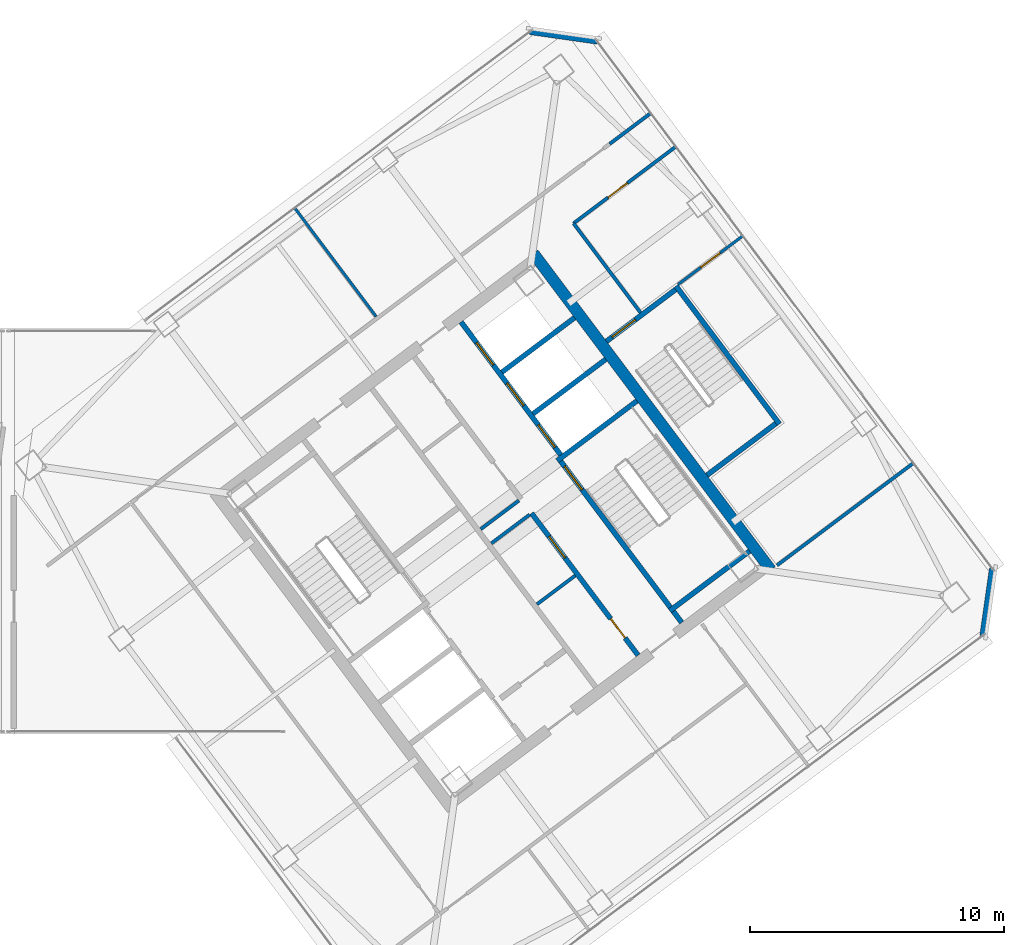
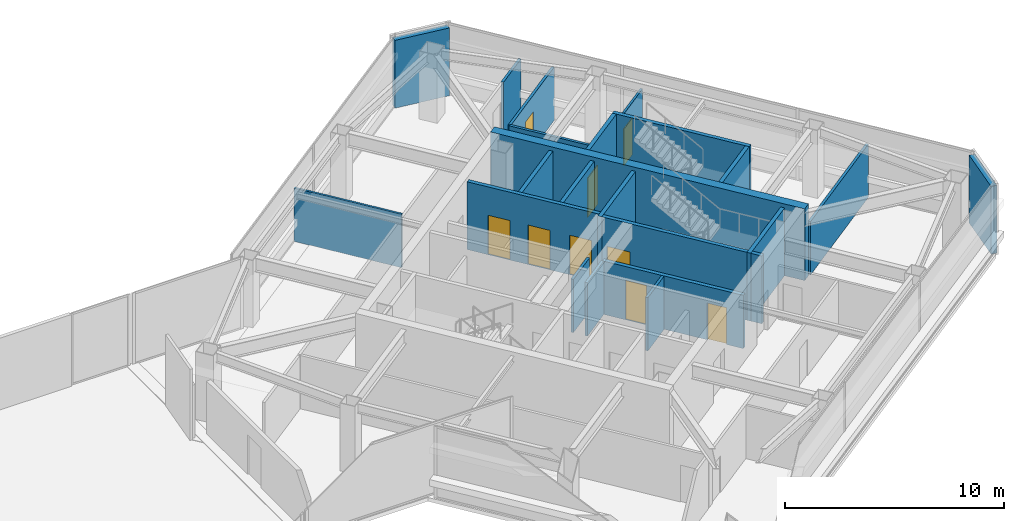
# One storey, part 42 of 51: 22 walls, 9 doors, 9 openings.
"""IFC4 building model written with IfcOpenShell, lengths in metres."""

from ifc_helpers import new_model, si_unit, direction, frame, frame_2d, origin, place, context, subcontext, project, spatial, rectangle, extrude, material, layer, layer_set, type_object, element, fill, save


model = new_model("IFC4")

# Units and contexts
model_context = context("Model", 3, precision=1e-05, world=origin(), true_north=direction((0.0, 1.0)))
body_context = subcontext(model_context, "Body", "Model", "MODEL_VIEW")
ifc_project = project(units=[si_unit("LENGTHUNIT", "METRE"), si_unit("AREAUNIT", "SQUARE_METRE"), si_unit("VOLUMEUNIT", "CUBIC_METRE"), si_unit("PLANEANGLEUNIT", "RADIAN"), si_unit("MASSUNIT", "GRAM", prefix="KILO")], contexts=[model_context])

# Site, building, storey
site_placement = place(None, origin())
site = spatial("IfcSite", under=ifc_project, at=site_placement, CompositionType="ELEMENT")
building_placement = place(site_placement, origin())
building = spatial("IfcBuilding", under=site, at=building_placement, Name="Tashvorn Skyway Center", CompositionType="ELEMENT")
storey_placement = place(building_placement, frame((0.0, 0.0, 251.39990234375)))
storey = spatial("IfcBuildingStorey", under=building, at=storey_placement, Name="L68", CompositionType="ELEMENT", Elevation=251.39990234375)

# Walls
ifc_material_1 = material(Name="Concrete C50/60", Category="concrete")
ifc_layer_1 = layer(ifc_material_1, 0.449951171875)
ifc_layer_set_1 = layer_set([ifc_layer_1], Name="Concrete C50/60")
wall_type_1 = type_object("IfcWallType", Name="WALL-CORE-450", PredefinedType="SHEAR", material=ifc_layer_set_1)
wall_1_placement = place(storey_placement, frame((115.60400390625, 42.952880859375, 0.0), z_axis=(0.0, 0.0, 1.0), x_axis=(0.600005007985, -0.799996243986, 0.0)))
element("IfcWall", 1, at=wall_1_placement, inside=storey, type_object=wall_type_1, Name="Tower 2 L68 East Core Shear Wall", PredefinedType="SHEAR", context=body_context, shape_type="SweptSolid", body=[
    extrude(rectangle(XDim=15.60009765625, YDim=0.449951171875, at=frame_2d((7.800048828125, 0.0))), origin(), (0.0, 0.0, 1.0), 4.0),
])
ifc_material_2 = material(Name="Precast concrete C40/50", Category="concrete")
ifc_layer_2 = layer(ifc_material_2, 0.280029296875)
ifc_layer_set_2 = layer_set([ifc_layer_2], Name="Precast concrete C40/50")
wall_type_2 = type_object("IfcWallType", Name="WALL-EXT-280", PredefinedType="SOLIDWALL", material=ifc_layer_set_2)
for number, where, z_axis, x_axis, name in (
    (2, (115.4599609375, 51.719970703125, 0.0), (0.0, 0.0, 1.0), (0.989956760759, -0.141370477216, 0.0), "Tower 2 L68 NE Precast Chamfer Wall"),
    (3, (133.719970703125, 30.5400390625, 0.0), (0.0, 0.0, 1.0), (-0.141370477216, -0.989956760759, 0.0), "Tower 2 L68 SE Precast Chamfer Wall"),
):
    element("IfcWall", number, at=place(storey_placement, frame(where, z_axis=z_axis, x_axis=x_axis)), inside=storey, type_object=wall_type_2, Name=name, PredefinedType="SOLIDWALL", context=body_context, shape_type="SweptSolid", body=[
        extrude(rectangle(XDim=2.687255859375, YDim=0.280029296875, at=frame_2d((1.34375, 0.0))), origin(), (0.0, 0.0, 1.0), 3.780029296875),
    ])
ifc_material_3 = material(Name="Gypsum board on cold-formed steel stud framing", Category="steel")
ifc_layer_3 = layer(ifc_material_3, 0.110107421875)
ifc_layer_set_3 = layer_set([ifc_layer_3], Name="Gypsum board on cold-formed steel stud framing")
wall_type_3 = type_object("IfcWallType", Name="WALL-PART-110", PredefinedType="PARTITIONING", material=ifc_layer_set_3)
wall_2_placement = place(storey_placement, frame((109.402099609375, 40.464111328125, 0.0), z_axis=(0.0, 0.0, 1.0), x_axis=(-0.600043807911, 0.799967142192, 0.0)))
element("IfcWall", 4, at=wall_2_placement, inside=storey, type_object=wall_type_3, Name="Tower 2 L68 North Suite Partition 1", PredefinedType="PARTITIONING", context=body_context, shape_type="SweptSolid", body=[
    extrude(rectangle(XDim=5.349853515625, YDim=0.110107421875, at=frame_2d((2.6748046875, 0.0))), origin(), (0.0, 0.0, 1.0), 2.97119140625),
])

# Wall, opening, door
wall_3_placement = place(storey_placement, frame((123.864013671875, 43.64794921875, 0.0), z_axis=(0.0, 0.0, 1.0), x_axis=(-0.800018310174, -0.599975585658, 0.0)))
wall_3 = element("IfcWall", 5, at=wall_3_placement, inside=storey, type_object=wall_type_3, Name="Tower 2 L68 East Suite Partition 1", PredefinedType="PARTITIONING", context=body_context, shape_type="SweptSolid", body=[
    extrude(rectangle(XDim=3.199951171875, YDim=0.110107421875, at=frame_2d((1.60009765625, 0.0))), origin(), (0.0, 0.0, 1.0), 2.97119140625),
])
opening_1_placement = place(wall_3_placement, frame((1.125, 0.0, 0.0)))
opening_1 = element("IfcOpeningElement", 6, at=opening_1_placement, cuts=wall_3, Name="Opening D-INT-950", PredefinedType="OPENING", context=body_context, shape_type="SweptSolid", body=[
    extrude(rectangle(XDim=0.949951171875, YDim=2.050048828125, at=frame_2d((0.47509765625, 1.02490234375))), frame((0.0, 0.06494140625, 0.0), z_axis=(0.0, -1.0, 0.0), x_axis=(1.0, 0.0, 0.0)), (0.0, 0.0, 1.0), 0.130126953125),
])
ifc_material_4 = material(Name="Solid-core architectural oak veneer door")
door_type_1 = type_object("IfcDoorType", Name="DOOR-INT-950", OperationType="NOTDEFINED", PredefinedType="DOOR", material=ifc_material_4)
door_1_placement = place(opening_1_placement, origin())
door_1 = element("IfcDoor", 7, at=door_1_placement, inside=storey, type_object=door_type_1, Name="Tower 2 L68 Security Control Room Door", OperationType="SINGLE_SWING_RIGHT", OverallHeight=2.050048828125, OverallWidth=0.949951171875, PredefinedType="DOOR", context=body_context, shape_type="SweptSolid", body=[
    extrude(rectangle(XDim=0.949951171875, YDim=2.050048828125, at=frame_2d((0.47509765625, 1.02490234375))), frame((0.0, 0.02490234375, 0.0), z_axis=(0.0, -1.0, 0.0), x_axis=(1.0, 0.0, 0.0)), (0.0, 0.0, 1.0), 0.050048828125),
])
fill(opening_1, door_1)

# Walls
ifc_layer_4 = layer(ifc_material_3, 0.135009765625)
ifc_layer_set_4 = layer_set([ifc_layer_4], Name="Gypsum board on cold-formed steel stud framing")
wall_type_4 = type_object("IfcWallType", Name="WALL-PART-135", PredefinedType="PARTITIONING", material=ifc_layer_set_4)
wall_4_placement = place(storey_placement, frame((119.823974609375, 40.617919921875, 0.0), z_axis=(0.0, 0.0, 1.0), x_axis=(-0.599982243973, 0.800013316712, 0.0)))
element("IfcWall", 8, at=wall_4_placement, inside=storey, type_object=wall_type_4, Name="Tower 2 L68 Stair 3 Access Corridor Wall", PredefinedType="PARTITIONING", context=body_context, shape_type="SweptSolid", body=[
    extrude(rectangle(XDim=4.39990234375, YDim=0.135009765625, at=frame_2d((2.199951171875, 0.0))), origin(), (0.0, 0.0, 1.0), 2.97119140625),
])
wall_5_placement = place(storey_placement, frame((118.610107421875, 47.27001953125, 0.0), z_axis=(0.0, 0.0, 1.0), x_axis=(0.799956698502, 0.600057730991, 0.0)))
element("IfcWall", 9, at=wall_5_placement, inside=storey, type_object=wall_type_4, Name="Tower 2 L68 North-East Suite South Wall", PredefinedType="PARTITIONING", context=body_context, shape_type="SweptSolid", body=[
    extrude(rectangle(XDim=2.02978515625, YDim=0.135009765625, at=frame_2d((1.014892578125, 0.0))), origin(), (0.0, 0.0, 1.0), 2.97119140625),
])

# Wall, opening, door
wall_6_placement = place(storey_placement, frame((121.22412109375, 47.16796875, 0.0), z_axis=(0.0, 0.0, 1.0), x_axis=(-0.8, -0.6, 0.0)))
wall_6 = element("IfcWall", 10, at=wall_6_placement, inside=storey, type_object=wall_type_4, Name="Tower 2 L68 East Suite North Wall", PredefinedType="PARTITIONING", context=body_context, shape_type="SweptSolid", body=[
    extrude(rectangle(XDim=5.050048828125, YDim=0.135009765625, at=frame_2d((2.52490234375, 0.0))), origin(), (0.0, 0.0, 1.0), 2.97119140625),
])
opening_2_placement = place(wall_6_placement, frame((2.39990234375, 0.0, 0.0)))
opening_2 = element("IfcOpeningElement", 11, at=opening_2_placement, cuts=wall_6, Name="Opening D-INT-950", PredefinedType="OPENING", context=body_context, shape_type="SweptSolid", body=[
    extrude(rectangle(XDim=0.949951171875, YDim=2.050048828125, at=frame_2d((0.47509765625, 1.02490234375))), frame((0.0, 0.077392578125, 0.0), z_axis=(0.0, -1.0, 0.0), x_axis=(1.0, 0.0, 0.0)), (0.0, 0.0, 1.0), 0.155029296875),
])
door_2_placement = place(opening_2_placement, origin())
door_2 = element("IfcDoor", 12, at=door_2_placement, inside=storey, type_object=door_type_1, Name="Tower 2 L68 Executive Suite Door", OperationType="SINGLE_SWING_LEFT", OverallHeight=2.050048828125, OverallWidth=0.949951171875, PredefinedType="DOOR", context=body_context, shape_type="SweptSolid", body=[
    extrude(rectangle(XDim=0.949951171875, YDim=2.050048828125, at=frame_2d((0.47509765625, 1.02490234375))), frame((0.0, 0.02490234375, 0.0), z_axis=(0.0, -1.0, 0.0), x_axis=(1.0, 0.0, 0.0)), (0.0, 0.0, 1.0), 0.050048828125),
])
fill(opening_2, door_2)

# Walls
wall_7_placement = place(storey_placement, frame((125.2080078125, 30.656005859375, 0.0), z_axis=(0.0, 0.0, 1.0), x_axis=(0.8, 0.6, 0.0)))
element("IfcWall", 13, at=wall_7_placement, inside=storey, type_object=wall_type_4, Name="Tower 2 L68 East Suite South Wall", PredefinedType="PARTITIONING", context=body_context, shape_type="SweptSolid", body=[
    extrude(rectangle(XDim=6.719970703125, YDim=0.135009765625, at=frame_2d((3.35986328125, 0.0))), origin(), (0.0, 0.0, 1.0), 2.97119140625),
])
ifc_layer_5 = layer(ifc_material_3, 0.135009765625)
ifc_layer_set_5 = layer_set([ifc_layer_5], Name="Gypsum board on cold-formed steel stud framing")
wall_type_5 = type_object("IfcWallType", Name="WALL-RATED-135", PredefinedType="PARTITIONING", material=ifc_layer_set_5)
for number, where, z_axis, x_axis, name in (
    (14, (113.946044921875, 31.52197265625, 0.0), (0.0, 0.0, 1.0), (0.8, 0.6, 0.0), "Tower 2 L68 Core Room Partition"),
    (15, (115.74609375, 29.1220703125, 0.0), (0.0, 0.0, 1.0), (0.8, 0.6, 0.0), "Tower 2 L68 Freed Core Partition"),
):
    element("IfcWall", number, at=place(storey_placement, frame(where, z_axis=z_axis, x_axis=x_axis)), inside=storey, type_object=wall_type_5, Name=name, PredefinedType="PARTITIONING", context=body_context, shape_type="SweptSolid", body=[
        extrude(rectangle(XDim=1.8798828125, YDim=0.135009765625, at=frame_2d((0.93994140625, 0.0))), origin(), (0.0, 0.0, 1.0), 2.97119140625),
    ])
wall_8_placement = place(storey_placement, frame((113.52587890625, 32.08203125, 0.0), z_axis=(0.0, 0.0, 1.0), x_axis=(0.800046745961, 0.599937666993, 0.0)))
element("IfcWall", 16, at=wall_8_placement, inside=storey, type_object=wall_type_5, Name="Tower 2 L68 Core Room Partition", PredefinedType="PARTITIONING", context=body_context, shape_type="SweptSolid", body=[
    extrude(rectangle(XDim=1.880126953125, YDim=0.135009765625, at=frame_2d((0.93994140625, 0.0))), origin(), (0.0, 0.0, 1.0), 2.97119140625),
])
ifc_material_5 = material(Name="Concrete C40/50", Category="concrete")
ifc_layer_6 = layer(ifc_material_5, 0.199951171875)
ifc_layer_set_6 = layer_set([ifc_layer_6], Name="Concrete C40/50")
wall_type_6 = type_object("IfcWallType", Name="WALL-SHAFT-200", PredefinedType="SOLIDWALL", material=ifc_layer_set_6)
for number, where, z_axis, x_axis, name in (
    (17, (115.590087890625, 36.6298828125, 0.0), (0.0, 0.0, 1.0), (0.799975449747, 0.600032732276, 0.0), "Tower 2 L68 High-Rise Shaft Divider"),
    (18, (114.360107421875, 38.27001953125, 0.0), (0.0, 0.0, 1.0), (0.800008183455, 0.599989088572, 0.0), "Tower 2 L68 High-Rise Shaft Divider"),
):
    element("IfcWall", number, at=place(storey_placement, frame(where, z_axis=z_axis, x_axis=x_axis)), inside=storey, type_object=wall_type_6, Name=name, PredefinedType="SOLIDWALL", context=body_context, shape_type="SweptSolid", body=[
        extrude(rectangle(XDim=3.580078125, YDim=0.199951171875, at=frame_2d((1.7900390625, 0.0))), origin(), (0.0, 0.0, 1.0), 3.780029296875),
    ])

# Wall, openings, doors
wall_9_placement = place(storey_placement, frame((119.72998046875, 27.110107421875, 0.0), z_axis=(0.0, 0.0, 1.0), x_axis=(-0.600005580459, 0.799995814625, 0.0)))
wall_9 = element("IfcWall", 19, at=wall_9_placement, inside=storey, type_object=wall_type_6, Name="Tower 2 L68 Low-Rise Core Wall", PredefinedType="SOLIDWALL", context=body_context, shape_type="SweptSolid", body=[
    extrude(rectangle(XDim=6.999755859375, YDim=0.199951171875, at=frame_2d((3.5, 0.0))), origin(), (0.0, 0.0, 1.0), 2.97119140625),
])
opening_3_placement = place(wall_9_placement, frame((0.85009765625, 0.0, 0.0)))
opening_3 = element("IfcOpeningElement", 20, at=opening_3_placement, cuts=wall_9, Name="Opening D-RT-950", PredefinedType="OPENING", context=body_context, shape_type="SweptSolid", body=[
    extrude(rectangle(XDim=0.949951171875, YDim=2.050048828125, at=frame_2d((0.47509765625, 1.02490234375))), frame((0.0, 0.10986328125, 0.0), z_axis=(0.0, -1.0, 0.0), x_axis=(1.0, 0.0, 0.0)), (0.0, 0.0, 1.0), 0.219970703125),
])
opening_4_placement = place(wall_9_placement, frame((4.800048828125, 0.0, 0.0)))
opening_4 = element("IfcOpeningElement", 21, at=opening_4_placement, cuts=wall_9, Name="Opening D-RT-1050", PredefinedType="OPENING", context=body_context, shape_type="SweptSolid", body=[
    extrude(rectangle(XDim=1.050048828125, YDim=2.199951171875, at=frame_2d((0.52490234375, 1.10009765625))), frame((0.0, 0.10986328125, 0.0), z_axis=(0.0, -1.0, 0.0), x_axis=(1.0, 0.0, 0.0)), (0.0, 0.0, 1.0), 0.219970703125),
])
ifc_material_6 = material(Name="Hollow galvanized steel fire door assembly", Category="steel")
door_type_2 = type_object("IfcDoorType", Name="DOOR-RATED-1050", OperationType="NOTDEFINED", PredefinedType="DOOR", material=ifc_material_6)
door_3_placement = place(opening_4_placement, origin())
door_3 = element("IfcDoor", 22, at=door_3_placement, inside=storey, type_object=door_type_2, Name="Tower 2 L68 Freed Core Room Door", OperationType="SINGLE_SWING_RIGHT", OverallHeight=2.199951171875, OverallWidth=1.050048828125, PredefinedType="DOOR", context=body_context, shape_type="SweptSolid", body=[
    extrude(rectangle(XDim=1.050048828125, YDim=2.199951171875, at=frame_2d((0.52490234375, 1.10009765625))), frame((0.0, 0.02490234375, 0.0), z_axis=(0.0, -1.0, 0.0), x_axis=(1.0, 0.0, 0.0)), (0.0, 0.0, 1.0), 0.050048828125),
])
fill(opening_4, door_3)
door_type_3 = type_object("IfcDoorType", Name="DOOR-RATED-950", OperationType="NOTDEFINED", PredefinedType="DOOR", material=ifc_material_6)
door_4_placement = place(opening_3_placement, origin())
door_4 = element("IfcDoor", 23, at=door_4_placement, inside=storey, type_object=door_type_3, Name="Tower 2 L68 Core Print Room Door", OperationType="SINGLE_SWING_LEFT", OverallHeight=2.050048828125, OverallWidth=0.949951171875, PredefinedType="DOOR", context=body_context, shape_type="SweptSolid", body=[
    extrude(rectangle(XDim=0.949951171875, YDim=2.050048828125, at=frame_2d((0.47509765625, 1.02490234375))), frame((0.0, 0.02490234375, 0.0), z_axis=(0.0, -1.0, 0.0), x_axis=(1.0, 0.0, 0.0)), (0.0, 0.0, 1.0), 0.050048828125),
])
fill(opening_3, door_4)

# Wall, opening, door
ifc_layer_7 = layer(ifc_material_5, 0.199951171875)
ifc_layer_set_7 = layer_set([ifc_layer_7], Name="Concrete C40/50")
wall_type_7 = type_object("IfcWallType", Name="WALL-STSHF-200", PredefinedType="SHEAR", material=ifc_layer_set_7)
wall_10_placement = place(storey_placement, frame((116.56005859375, 34.919921875, 0.0), z_axis=(0.0, 0.0, 1.0), x_axis=(0.59999041401, -0.800007189403, 0.0)))
wall_10 = element("IfcWall", 24, at=wall_10_placement, inside=storey, type_object=wall_type_7, Name="Tower 2 L68 Stair 2 Enclosure Wall", PredefinedType="SHEAR", context=body_context, shape_type="SweptSolid", body=[
    extrude(rectangle(XDim=8.14990234375, YDim=0.199951171875, at=frame_2d((4.074951171875, 0.0))), origin(), (0.0, 0.0, 1.0), 3.780029296875),
])
opening_5_placement = place(wall_10_placement, frame((0.449951171875, 0.0, 0.0)))
opening_5 = element("IfcOpeningElement", 25, at=opening_5_placement, cuts=wall_10, Name="Opening D-ST-1150", PredefinedType="OPENING", context=body_context, shape_type="SweptSolid", body=[
    extrude(rectangle(XDim=1.14990234375, YDim=2.199951171875, at=frame_2d((0.574951171875, 1.10009765625))), frame((0.0, 0.10986328125, 0.0), z_axis=(0.0, -1.0, 0.0), x_axis=(1.0, 0.0, 0.0)), (0.0, 0.0, 1.0), 0.219970703125),
])
door_type_4 = type_object("IfcDoorType", Name="DOOR-STAIR-1150", OperationType="NOTDEFINED", PredefinedType="DOOR", material=ifc_material_6)
door_5_placement = place(opening_5_placement, origin())
door_5 = element("IfcDoor", 26, at=door_5_placement, inside=storey, type_object=door_type_4, Name="Tower 2 L68 Exit Stair 2 Door", OperationType="SINGLE_SWING_RIGHT", OverallHeight=2.199951171875, OverallWidth=1.14990234375, PredefinedType="DOOR", context=body_context, shape_type="SweptSolid", body=[
    extrude(rectangle(XDim=1.14990234375, YDim=2.199951171875, at=frame_2d((0.574951171875, 1.10009765625))), frame((0.0, 0.02490234375, 0.0), z_axis=(0.0, -1.0, 0.0), x_axis=(1.0, 0.0, 0.0)), (0.0, 0.0, 1.0), 0.050048828125),
])
fill(opening_5, door_5)

# Walls
for number, where, z_axis, x_axis, name in (
    (27, (116.5400390625, 34.780029296875, 0.0), (0.0, 0.0, 1.0), (0.800014909178, 0.599980120581, 0.0), "Tower 2 L68 Stair 2 North Wall"),
    (28, (120.97998046875, 28.860107421875, 0.0), (0.0, 0.0, 1.0), (0.800014909178, 0.599980120581, 0.0), "Tower 2 L68 Stair 2 South Wall"),
):
    element("IfcWall", number, at=place(storey_placement, frame(where, z_axis=z_axis, x_axis=x_axis)), inside=storey, type_object=wall_type_7, Name=name, PredefinedType="SHEAR", context=body_context, shape_type="SweptSolid", body=[
        extrude(rectangle(XDim=3.929931640625, YDim=0.199951171875, at=frame_2d((1.96484375, 0.0))), origin(), (0.0, 0.0, 1.0), 3.780029296875),
    ])

# Wall, openings, doors
wall_11_placement = place(storey_placement, frame((112.75, 40.25, 0.0), z_axis=(0.0, 0.0, 1.0), x_axis=(0.599994036198, -0.800004472816, 0.0)))
wall_11 = element("IfcWall", 29, at=wall_11_placement, inside=storey, type_object=wall_type_7, Name="Tower 2 L68 High-Rise Lift Shaft Front Wall", PredefinedType="SHEAR", context=body_context, shape_type="SweptSolid", body=[
    extrude(rectangle(XDim=6.550048828125, YDim=0.199951171875, at=frame_2d((3.27490234375, 0.0))), origin(), (0.0, 0.0, 1.0), 3.780029296875),
])
opening_6_placement = place(wall_11_placement, frame((5.074951171875, 0.0, 0.0)))
opening_6 = element("IfcOpeningElement", 30, at=opening_6_placement, cuts=wall_11, Name="Opening LD-HR-T2-1-L68", PredefinedType="OPENING", context=body_context, shape_type="SweptSolid", body=[
    extrude(rectangle(XDim=1.10009765625, YDim=2.199951171875, at=frame_2d((0.550048828125, 1.10009765625))), frame((0.0, 0.10986328125, 0.0), z_axis=(0.0, -1.0, 0.0), x_axis=(1.0, 0.0, 0.0)), (0.0, 0.0, 1.0), 0.219970703125),
])
opening_7_placement = place(wall_11_placement, frame((3.02490234375, 0.0, 0.0)))
opening_7 = element("IfcOpeningElement", 31, at=opening_7_placement, cuts=wall_11, Name="Opening LD-HR-T2-2-L68", PredefinedType="OPENING", context=body_context, shape_type="SweptSolid", body=[
    extrude(rectangle(XDim=1.10009765625, YDim=2.199951171875, at=frame_2d((0.550048828125, 1.10009765625))), frame((0.0, 0.10986328125, 0.0), z_axis=(0.0, -1.0, 0.0), x_axis=(1.0, 0.0, 0.0)), (0.0, 0.0, 1.0), 0.219970703125),
])
opening_8_placement = place(wall_11_placement, frame((1.02490234375, 0.0, 0.0)))
opening_8 = element("IfcOpeningElement", 32, at=opening_8_placement, cuts=wall_11, Name="Opening LD-HR-T2-3-L68", PredefinedType="OPENING", context=body_context, shape_type="SweptSolid", body=[
    extrude(rectangle(XDim=1.10009765625, YDim=2.199951171875, at=frame_2d((0.550048828125, 1.10009765625))), frame((0.0, 0.10986328125, 0.0), z_axis=(0.0, -1.0, 0.0), x_axis=(1.0, 0.0, 0.0)), (0.0, 0.0, 1.0), 0.219970703125),
])
ifc_material_7 = material(Name="Stainless steel landing door", Category="steel")
door_type_5 = type_object("IfcDoorType", Name="DOOR-LIFT-1100", OperationType="SLIDING_TO_LEFT", PredefinedType="DOOR", material=ifc_material_7)
door_6_placement = place(opening_6_placement, origin())
door_6 = element("IfcDoor", 33, at=door_6_placement, inside=storey, type_object=door_type_5, Name="Lift HR-T2-1 L68 Landing Door", OperationType="SLIDING_TO_LEFT", OverallHeight=2.199951171875, OverallWidth=1.10009765625, PredefinedType="DOOR", context=body_context, shape_type="SweptSolid", body=[
    extrude(rectangle(XDim=1.10009765625, YDim=2.199951171875, at=frame_2d((0.550048828125, 1.10009765625))), frame((0.0, 0.02490234375, 0.0), z_axis=(0.0, -1.0, 0.0), x_axis=(1.0, 0.0, 0.0)), (0.0, 0.0, 1.0), 0.050048828125),
])
fill(opening_6, door_6)
door_7_placement = place(opening_7_placement, origin())
door_7 = element("IfcDoor", 34, at=door_7_placement, inside=storey, type_object=door_type_5, Name="Lift HR-T2-2 L68 Landing Door", OperationType="SLIDING_TO_LEFT", OverallHeight=2.199951171875, OverallWidth=1.10009765625, PredefinedType="DOOR", context=body_context, shape_type="SweptSolid", body=[
    extrude(rectangle(XDim=1.10009765625, YDim=2.199951171875, at=frame_2d((0.550048828125, 1.10009765625))), frame((0.0, 0.02490234375, 0.0), z_axis=(0.0, -1.0, 0.0), x_axis=(1.0, 0.0, 0.0)), (0.0, 0.0, 1.0), 0.050048828125),
])
fill(opening_7, door_7)
door_8_placement = place(opening_8_placement, origin())
door_8 = element("IfcDoor", 35, at=door_8_placement, inside=storey, type_object=door_type_5, Name="Lift HR-T2-3 L68 Landing Door", OperationType="SLIDING_TO_LEFT", OverallHeight=2.199951171875, OverallWidth=1.10009765625, PredefinedType="DOOR", context=body_context, shape_type="SweptSolid", body=[
    extrude(rectangle(XDim=1.10009765625, YDim=2.199951171875, at=frame_2d((0.550048828125, 1.10009765625))), frame((0.0, 0.02490234375, 0.0), z_axis=(0.0, -1.0, 0.0), x_axis=(1.0, 0.0, 0.0)), (0.0, 0.0, 1.0), 0.050048828125),
])
fill(opening_8, door_8)

# Wall
wall_12_placement = place(storey_placement, frame((125.303955078125, 36.22802734375, 0.0), z_axis=(0.0, 0.0, 1.0), x_axis=(-0.59998851072, 0.800008616831, 0.0)))
element("IfcWall", 36, at=wall_12_placement, inside=storey, type_object=wall_type_7, Name="Tower 2 L68 Stair 3 Outer Wall", PredefinedType="SHEAR", context=body_context, shape_type="SweptSolid", body=[
    extrude(rectangle(XDim=6.7998046875, YDim=0.199951171875, at=frame_2d((3.39990234375, 0.0))), origin(), (0.0, 0.0, 1.0), 3.780029296875),
])

# Wall, opening, door
wall_13_placement = place(storey_placement, frame((121.2041015625, 41.528076171875, 0.0), z_axis=(0.0, 0.0, 1.0), x_axis=(-0.800017232136, -0.599977023131, 0.0)))
wall_13 = element("IfcWall", 37, at=wall_13_placement, inside=storey, type_object=wall_type_7, Name="Tower 2 L68 Stair 3 Enclosure Wall", PredefinedType="SHEAR", context=body_context, shape_type="SweptSolid", body=[
    extrude(rectangle(XDim=3.400146484375, YDim=0.199951171875, at=frame_2d((1.7001953125, 0.0))), origin(), (0.0, 0.0, 1.0), 3.780029296875),
])
opening_9_placement = place(wall_13_placement, frame((1.97509765625, 0.0, 0.0)))
opening_9 = element("IfcOpeningElement", 38, at=opening_9_placement, cuts=wall_13, Name="Opening D-ST-1150", PredefinedType="OPENING", context=body_context, shape_type="SweptSolid", body=[
    extrude(rectangle(XDim=1.14990234375, YDim=2.199951171875, at=frame_2d((0.574951171875, 1.10009765625))), frame((0.0, 0.10986328125, 0.0), z_axis=(0.0, -1.0, 0.0), x_axis=(1.0, 0.0, 0.0)), (0.0, 0.0, 1.0), 0.219970703125),
])
door_9_placement = place(opening_9_placement, origin())
door_9 = element("IfcDoor", 39, at=door_9_placement, inside=storey, type_object=door_type_4, Name="Tower 2 L68 Exit Stair 3 Door", OperationType="SINGLE_SWING_RIGHT", OverallHeight=2.199951171875, OverallWidth=1.14990234375, PredefinedType="DOOR", context=body_context, shape_type="SweptSolid", body=[
    extrude(rectangle(XDim=1.14990234375, YDim=2.199951171875, at=frame_2d((0.574951171875, 1.10009765625))), frame((0.0, 0.02490234375, 0.0), z_axis=(0.0, -1.0, 0.0), x_axis=(1.0, 0.0, 0.0)), (0.0, 0.0, 1.0), 0.050048828125),
])
fill(opening_9, door_9)

# Wall
wall_14_placement = place(storey_placement, frame((122.444091796875, 34.2080078125, 0.0), z_axis=(0.0, 0.0, 1.0), x_axis=(0.79999138319, 0.600011488909, 0.0)))
element("IfcWall", 40, at=wall_14_placement, inside=storey, type_object=wall_type_7, Name="Tower 2 L68 Stair 3 South Wall", PredefinedType="SHEAR", context=body_context, shape_type="SweptSolid", body=[
    extrude(rectangle(XDim=3.39990234375, YDim=0.199951171875, at=frame_2d((1.699951171875, 0.0))), origin(), (0.0, 0.0, 1.0), 3.780029296875),
])

save(model, "model.ifc")
